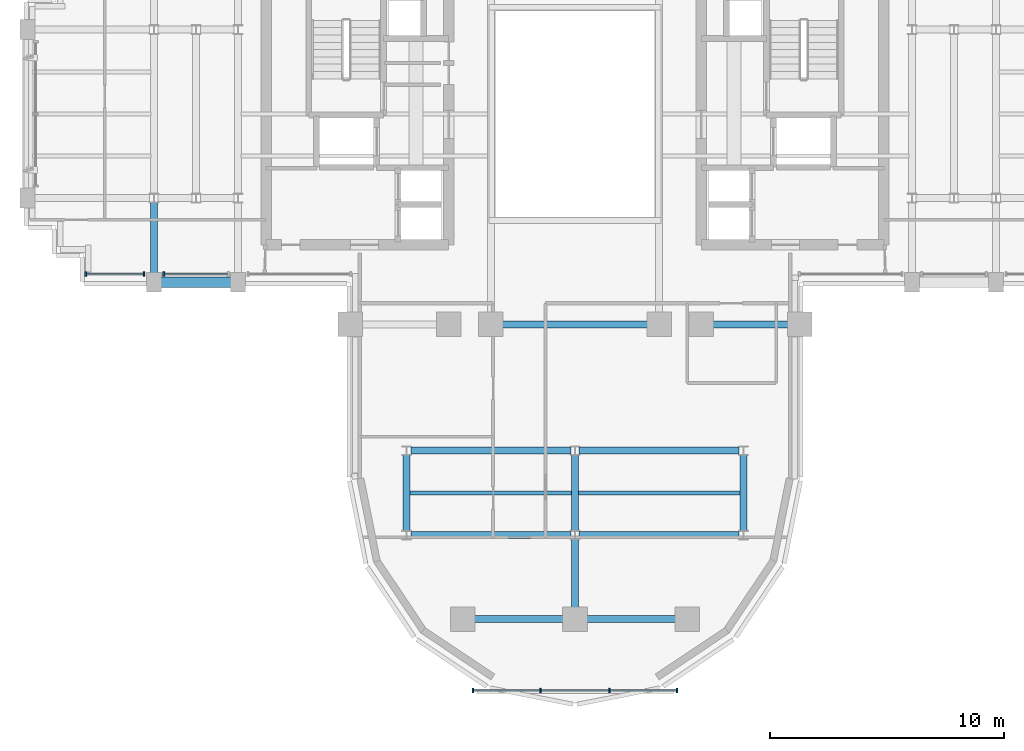
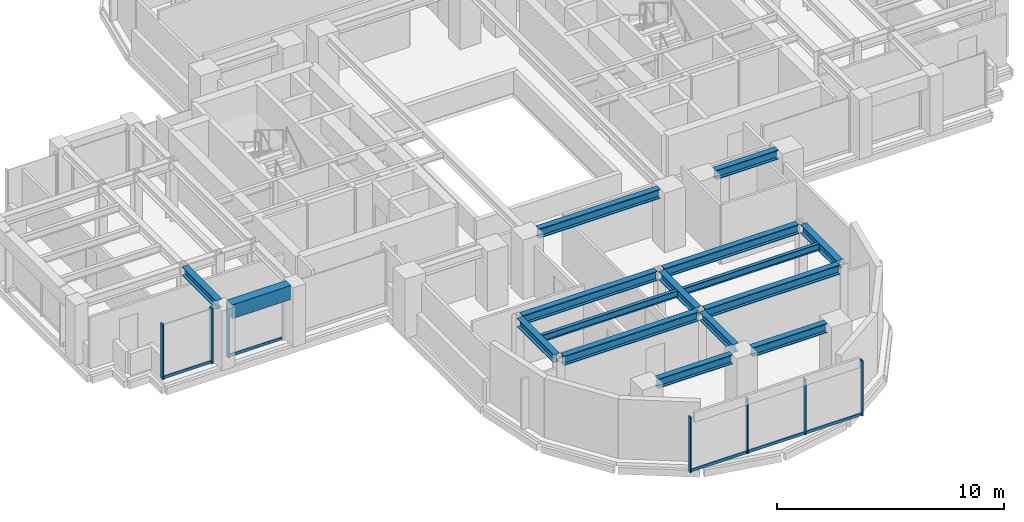
# One storey, part 3 of 14: 16 beams, 12 members, 3 elements without a shape of their own.
"""IFC4 building model written with IfcOpenShell, lengths in metres."""

from ifc_helpers import new_model, si_unit, direction, frame, origin, origin_2d, place, context, subcontext, project, spatial, rectangle, i_section, extrude, source, transform, mapped, material, material_profile, profile_set, type_object, element, aggregate, save


model = new_model("IFC4")

# Units and contexts
model_context = context("Model", 3, precision=1e-05, world=origin(), true_north=direction((0.0, 1.0)))
body_context = subcontext(model_context, "Body", "Model", "MODEL_VIEW")
ifc_project = project(units=[si_unit("LENGTHUNIT", "METRE"), si_unit("AREAUNIT", "SQUARE_METRE"), si_unit("VOLUMEUNIT", "CUBIC_METRE"), si_unit("PLANEANGLEUNIT", "RADIAN"), si_unit("MASSUNIT", "GRAM", prefix="KILO")], contexts=[model_context])

# Site, building, storey
site_placement = place(None, origin())
site = spatial("IfcSite", under=ifc_project, at=site_placement, CompositionType="ELEMENT")
building_placement = place(site_placement, origin())
building = spatial("IfcBuilding", under=site, at=building_placement, Name="Keilestroom Media Tower", CompositionType="ELEMENT")
storey_placement = place(building_placement, frame((0.0, 0.0, 114.199951171875)))
storey = spatial("IfcBuildingStorey", under=building, at=storey_placement, Name="L30", CompositionType="ELEMENT", Elevation=114.199951171875)

# Beams
ifc_material_1 = material(Name="Steel S355", Category="steel")
ifc_material_profile_1 = material_profile(ifc_material_1, i_section(OverallWidth=0.169921875, OverallDepth=0.360107421875, WebThickness=0.008056640625, FlangeThickness=0.0126953125, at=origin_2d()), Name="IPE 360")
ifc_profile_set_1 = profile_set([ifc_material_profile_1], Name="Steel S355")
beam_type_1 = type_object("IfcBeamType", Name="Secondary-Floor-Joist-IPE-360", PredefinedType="JOIST", material=ifc_profile_set_1)
shared_shape_1 = source(origin(), body_context, "Body", "SweptSolid", [
    extrude(i_section(OverallWidth=0.169921875, OverallDepth=0.360107421875, WebThickness=0.008056640625, FlangeThickness=0.0126953125, at=origin_2d()), origin(), (0.0, 0.0, 1.0), 6.940185546875),
])
for number, where, z_axis, x_axis, name in (
    (1, (-7.070068359375, -16.199951171875, 3.02001953125), (1.0, 0.0, 0.0), (0.0, 1.0, 0.0), "L30 Beam BJ-5 JST-L30-069"),
    (2, (0.1298828125, -16.199951171875, 3.02001953125), (1.0, 0.0, 0.0), (0.0, 1.0, 0.0), "L30 Beam BJ-5 JST-L30-070"),
):
    element("IfcBeam", number, at=place(storey_placement, frame(where, z_axis=z_axis, x_axis=x_axis)), inside=storey, type_object=beam_type_1, Name=name, PredefinedType="JOIST", context=body_context, shape_type="MappedRepresentation", body=[
        mapped(shared_shape_1, transform((0.0, 0.0, 0.0), x_axis=(1.0, 0.0, 0.0), y_axis=(0.0, 1.0, 0.0), z_axis=(0.0, 0.0, 1.0), scale=1.0)),
    ])
ifc_material_profile_2 = material_profile(ifc_material_1, i_section(OverallWidth=0.300048828125, OverallDepth=0.5, WebThickness=0.012451171875, FlangeThickness=0.028076171875, at=origin_2d()), Name="HEB 500")
ifc_profile_set_2 = profile_set([ifc_material_profile_2], Name="Steel S355")
beam_type_2 = type_object("IfcBeamType", Name="Primary-Structural-Girder-HEB-500", PredefinedType="BEAM", material=ifc_profile_set_2)
shared_shape_2 = source(origin(), body_context, "Body", "SweptSolid", [
    extrude(i_section(OverallWidth=0.300048828125, OverallDepth=0.5, WebThickness=0.012451171875, FlangeThickness=0.028076171875, at=origin_2d()), origin(), (0.0, 0.0, 1.0), 3.7900390625),
])
for number, where, z_axis, x_axis, name in (
    (3, (-4.294921875, -21.60009765625, 2.949951171875), (1.0, 0.0, 0.0), (0.0, 1.0, 0.0), "L30 Beam BG-6 BM-L30-EW-001"),
    (4, (0.5048828125, -21.60009765625, 2.949951171875), (1.0, 0.0, 0.0), (0.0, 1.0, 0.0), "L30 Beam BG-6 BM-L30-EW-002"),
):
    element("IfcBeam", number, at=place(storey_placement, frame(where, z_axis=z_axis, x_axis=x_axis)), inside=storey, type_object=beam_type_2, Name=name, PredefinedType="BEAM", context=body_context, shape_type="MappedRepresentation", body=[
        mapped(shared_shape_2, transform((0.0, 0.0, 0.0), x_axis=(1.0, 0.0, 0.0), y_axis=(0.0, 1.0, 0.0), z_axis=(0.0, 0.0, 1.0), scale=1.0)),
    ])
shared_shape_3 = source(origin(), body_context, "Body", "SweptSolid", [
    extrude(i_section(OverallWidth=0.300048828125, OverallDepth=0.5, WebThickness=0.012451171875, FlangeThickness=0.028076171875, at=origin_2d()), origin(), (0.0, 0.0, 1.0), 6.839111328125),
])
for number, where, z_axis, x_axis, name in (
    (5, (-7.01953125, -18.0, 2.949951171875), (1.0, 0.0, 0.0), (0.0, 1.0, 0.0), "L30 Beam BG-6 BM-L30-EW-003"),
    (6, (0.180419921875, -18.0, 2.949951171875), (1.0, 0.0, 0.0), (0.0, 1.0, 0.0), "L30 Beam BG-6 BM-L30-EW-004"),
    (7, (-7.01953125, -14.39990234375, 2.949951171875), (1.0, 0.0, 0.0), (0.0, 1.0, 0.0), "L30 Beam BG-6 BM-L30-EW-005"),
    (8, (0.180419921875, -14.39990234375, 2.949951171875), (1.0, 0.0, 0.0), (0.0, 1.0, 0.0), "L30 Beam BG-6 BM-L30-EW-006"),
):
    element("IfcBeam", number, at=place(storey_placement, frame(where, z_axis=z_axis, x_axis=x_axis)), inside=storey, type_object=beam_type_2, Name=name, PredefinedType="BEAM", context=body_context, shape_type="MappedRepresentation", body=[
        mapped(shared_shape_3, transform((0.0, 0.0, 0.0), x_axis=(1.0, 0.0, 0.0), y_axis=(0.0, 1.0, 0.0), z_axis=(0.0, 0.0, 1.0), scale=1.0)),
    ])
shared_shape_4 = source(origin(), body_context, "Body", "SweptSolid", [
    extrude(i_section(OverallWidth=0.300048828125, OverallDepth=0.5, WebThickness=0.012451171875, FlangeThickness=0.028076171875, at=origin_2d()), origin(), (0.0, 0.0, 1.0), 3.18994140625),
])
beam_1_placement = place(storey_placement, frame((5.905029296875, -9.0, 2.949951171875), z_axis=(1.0, 0.0, 0.0), x_axis=(0.0, 1.0, 0.0)))
element("IfcBeam", 9, at=beam_1_placement, inside=storey, type_object=beam_type_2, Name="L30 Beam BG-6 BM-L30-EW-011", PredefinedType="BEAM", context=body_context, shape_type="MappedRepresentation", body=[
    mapped(shared_shape_4, transform((0.0, 0.0, 0.0), x_axis=(1.0, 0.0, 0.0), y_axis=(0.0, 1.0, 0.0), z_axis=(0.0, 0.0, 1.0), scale=1.0)),
])
shared_shape_5 = source(origin(), body_context, "Body", "SweptSolid", [
    extrude(i_section(OverallWidth=0.300048828125, OverallDepth=0.5, WebThickness=0.012451171875, FlangeThickness=0.028076171875, at=origin_2d()), origin(), (0.0, 0.0, 1.0), 6.18994140625),
])
beam_2_placement = place(storey_placement, frame((-3.094970703125, -9.0, 2.949951171875), z_axis=(1.0, 0.0, 0.0), x_axis=(0.0, 1.0, 0.0)))
element("IfcBeam", 10, at=beam_2_placement, inside=storey, type_object=beam_type_2, Name="L30 Beam BG-6 BM-L30-EW-009", PredefinedType="BEAM", context=body_context, shape_type="MappedRepresentation", body=[
    mapped(shared_shape_5, transform((0.0, 0.0, 0.0), x_axis=(1.0, 0.0, 0.0), y_axis=(0.0, 1.0, 0.0), z_axis=(0.0, 0.0, 1.0), scale=1.0)),
])
ifc_material_2 = material(Name="Precast concrete C40/50", Category="concrete")
ifc_material_profile_3 = material_profile(ifc_material_2, rectangle(XDim=0.449951171875, YDim=0.75, at=origin_2d()), Name="PC 450x750")
ifc_profile_set_3 = profile_set([ifc_material_profile_3], Name="Precast concrete C40/50")
beam_type_3 = type_object("IfcBeamType", Name="Perimeter-Spandrel-Beam-PC-450x750", PredefinedType="SPANDREL", material=ifc_profile_set_3)
shared_shape_6 = source(origin(), body_context, "Body", "SweptSolid", [
    extrude(rectangle(XDim=0.449951171875, YDim=0.75, at=origin_2d()), origin(), (0.0, 0.0, 1.0), 2.989990234375),
])
beam_3_placement = place(storey_placement, frame((-17.695068359375, -7.199951171875, 2.824951171875), z_axis=(1.0, 0.0, 0.0), x_axis=(0.0, 1.0, 0.0)))
element("IfcBeam", 11, at=beam_3_placement, inside=storey, type_object=beam_type_3, Name="L30 Beam SPB-1 BM-L30-EW-012", PredefinedType="SPANDREL", context=body_context, shape_type="MappedRepresentation", body=[
    mapped(shared_shape_6, transform((0.0, 0.0, 0.0), x_axis=(1.0, 0.0, 0.0), y_axis=(0.0, 1.0, 0.0), z_axis=(0.0, 0.0, 1.0), scale=1.0)),
])
ifc_material_profile_4 = material_profile(ifc_material_1, i_section(OverallWidth=0.300048828125, OverallDepth=0.449951171875, WebThickness=0.011962890625, FlangeThickness=0.02587890625, at=origin_2d()), Name="HEB 450")
ifc_profile_set_4 = profile_set([ifc_material_profile_4], Name="Steel S355")
beam_type_4 = type_object("IfcBeamType", Name="Primary-Structural-Girder-HEB-450", PredefinedType="BEAM", material=ifc_profile_set_4)
shared_shape_7 = source(origin(), body_context, "Body", "SweptSolid", [
    extrude(i_section(OverallWidth=0.300048828125, OverallDepth=0.449951171875, WebThickness=0.011962890625, FlangeThickness=0.02587890625, at=origin_2d()), origin(), (0.0, 0.0, 1.0), 3.015380859375),
])
beam_4_placement = place(storey_placement, frame((-18.0, -6.794921875, 2.97509765625), z_axis=(0.0, 1.0, 0.0), x_axis=(-1.0, 0.0, 0.0)))
element("IfcBeam", 12, at=beam_4_placement, inside=storey, type_object=beam_type_4, Name="L30 Beam BG-7 BM-L30-NS-040", PredefinedType="BEAM", context=body_context, shape_type="MappedRepresentation", body=[
    mapped(shared_shape_7, transform((0.0, 0.0, 0.0), x_axis=(1.0, 0.0, 0.0), y_axis=(0.0, 1.0, 0.0), z_axis=(0.0, 0.0, 1.0), scale=1.0)),
])
shared_shape_8 = source(origin(), body_context, "Body", "SweptSolid", [
    extrude(i_section(OverallWidth=0.300048828125, OverallDepth=0.449951171875, WebThickness=0.011962890625, FlangeThickness=0.02587890625, at=origin_2d()), origin(), (0.0, 0.0, 1.0), 3.240966796875),
])
for number, where, z_axis, x_axis, name in (
    (13, (-7.199951171875, -17.820556640625, 2.97509765625), (0.0, 1.0, 0.0), (-1.0, 0.0, 0.0), "L30 Beam BG-7 BM-L30-NS-048"),
    (14, (0.0, -17.820556640625, 2.97509765625), (0.0, 1.0, 0.0), (-1.0, 0.0, 0.0), "L30 Beam BG-7 BM-L30-NS-053"),
    (15, (7.199951171875, -17.820556640625, 2.97509765625), (0.0, 1.0, 0.0), (-1.0, 0.0, 0.0), "L30 Beam BG-7 BM-L30-NS-058"),
):
    element("IfcBeam", number, at=place(storey_placement, frame(where, z_axis=z_axis, x_axis=x_axis)), inside=storey, type_object=beam_type_4, Name=name, PredefinedType="BEAM", context=body_context, shape_type="MappedRepresentation", body=[
        mapped(shared_shape_8, transform((0.0, 0.0, 0.0), x_axis=(1.0, 0.0, 0.0), y_axis=(0.0, 1.0, 0.0), z_axis=(0.0, 0.0, 1.0), scale=1.0)),
    ])
shared_shape_9 = source(origin(), body_context, "Body", "SweptSolid", [
    extrude(i_section(OverallWidth=0.300048828125, OverallDepth=0.449951171875, WebThickness=0.011962890625, FlangeThickness=0.02587890625, at=origin_2d()), origin(), (0.0, 0.0, 1.0), 2.91552734375),
])
beam_5_placement = place(storey_placement, frame((0.0, -21.094970703125, 2.97509765625), z_axis=(0.0, 1.0, 0.0), x_axis=(-1.0, 0.0, 0.0)))
element("IfcBeam", 16, at=beam_5_placement, inside=storey, type_object=beam_type_4, Name="L30 Beam BG-7 BM-L30-NS-052", PredefinedType="BEAM", context=body_context, shape_type="MappedRepresentation", body=[
    mapped(shared_shape_9, transform((0.0, 0.0, 0.0), x_axis=(1.0, 0.0, 0.0), y_axis=(0.0, 1.0, 0.0), z_axis=(0.0, 0.0, 1.0), scale=1.0)),
])

# Curtain wall, members
ifc_material_3 = material(Name="Anodised Aluminium Alloy", Category="aluminium")
curtain_wall_type_1 = type_object("IfcCurtainWallType", Name="Unitised-Curtain-Wall-CW-6", PredefinedType="NOTDEFINED", material=ifc_material_3)
curtain_wall_1_placement = place(storey_placement, origin())
curtain_wall_1 = element("IfcCurtainWall", 17, at=curtain_wall_1_placement, inside=storey, type_object=curtain_wall_type_1, Name="L30 Curtain Wall CW-6 CW-L30-LS-1", PredefinedType="NOTDEFINED")
ifc_material_profile_5 = material_profile(ifc_material_3, rectangle(XDim=0.06494140625, YDim=0.179931640625, at=origin_2d()), Name="ALU MULLION 65x180")
ifc_profile_set_5 = profile_set([ifc_material_profile_5], Name="Anodised Aluminium Alloy")
member_type_1 = type_object("IfcMemberType", Name="Curtain-Wall-Mullion-CW-6", PredefinedType="MULLION", material=ifc_profile_set_5)
shared_shape_10 = source(origin(), body_context, "Body", "SweptSolid", [
    extrude(rectangle(XDim=0.06494140625, YDim=0.179931640625, at=origin_2d()), origin(), (0.0, 0.0, 1.0), 2.97998046875),
])
member_1_placement = place(storey_placement, frame((-4.367431640625, -24.64990234375, 0.0), z_axis=(0.0, 0.0, 1.0), x_axis=(1.0, 0.0, 0.0)))
member_1 = element("IfcMember", 18, at=member_1_placement, type_object=member_type_1, Name="CW-6 Mullion 00", PredefinedType="MULLION", context=body_context, shape_type="MappedRepresentation", body=[
    mapped(shared_shape_10, transform((0.0, 0.0, 0.0), x_axis=(1.0, 0.0, 0.0), y_axis=(0.0, 1.0, 0.0), z_axis=(0.0, 0.0, 1.0), scale=1.0)),
])
member_2_placement = place(storey_placement, frame((-1.466796875, -24.64990234375, 0.0), z_axis=(0.0, 0.0, 1.0), x_axis=(1.0, 0.0, 0.0)))
member_2 = element("IfcMember", 19, at=member_2_placement, type_object=member_type_1, Name="CW-6 Mullion 01", PredefinedType="MULLION", context=body_context, shape_type="MappedRepresentation", body=[
    mapped(shared_shape_10, transform((0.0, 0.0, 0.0), x_axis=(1.0, 0.0, 0.0), y_axis=(0.0, 1.0, 0.0), z_axis=(0.0, 0.0, 1.0), scale=1.0)),
])
member_3_placement = place(storey_placement, frame((1.466796875, -24.64990234375, 0.0), z_axis=(0.0, 0.0, 1.0), x_axis=(1.0, 0.0, 0.0)))
member_3 = element("IfcMember", 20, at=member_3_placement, type_object=member_type_1, Name="CW-6 Mullion 02", PredefinedType="MULLION", context=body_context, shape_type="MappedRepresentation", body=[
    mapped(shared_shape_10, transform((0.0, 0.0, 0.0), x_axis=(1.0, 0.0, 0.0), y_axis=(0.0, 1.0, 0.0), z_axis=(0.0, 0.0, 1.0), scale=1.0)),
])
member_4_placement = place(storey_placement, frame((4.367431640625, -24.64990234375, 0.0), z_axis=(0.0, 0.0, 1.0), x_axis=(1.0, 0.0, 0.0)))
member_4 = element("IfcMember", 21, at=member_4_placement, type_object=member_type_1, Name="CW-6 Mullion 03", PredefinedType="MULLION", context=body_context, shape_type="MappedRepresentation", body=[
    mapped(shared_shape_10, transform((0.0, 0.0, 0.0), x_axis=(1.0, 0.0, 0.0), y_axis=(0.0, 1.0, 0.0), z_axis=(0.0, 0.0, 1.0), scale=1.0)),
])
ifc_material_profile_6 = material_profile(ifc_material_3, rectangle(XDim=0.06494140625, YDim=0.14990234375, at=origin_2d()), Name="ALU TRANSOM 65x150")
ifc_profile_set_6 = profile_set([ifc_material_profile_6], Name="Anodised Aluminium Alloy")
member_type_2 = type_object("IfcMemberType", Name="Curtain-Wall-Transom-CW-6", PredefinedType="USERDEFINED", material=ifc_profile_set_6)
shared_shape_11 = source(origin(), body_context, "Body", "SweptSolid", [
    extrude(rectangle(XDim=0.06494140625, YDim=0.14990234375, at=origin_2d()), origin(), (0.0, 0.0, 1.0), 2.839599609375),
])
member_5_placement = place(storey_placement, frame((-4.3369140625, -24.64990234375, 0.074951171875), z_axis=(1.0, 0.0, 0.0), x_axis=(0.0, 1.0, 0.0)))
member_5 = element("IfcMember", 22, at=member_5_placement, type_object=member_type_2, Name="CW-6 Transom 00.1", ObjectType="TRANSOM", PredefinedType="USERDEFINED", context=body_context, shape_type="MappedRepresentation", body=[
    mapped(shared_shape_11, transform((0.0, 0.0, 0.0), x_axis=(1.0, 0.0, 0.0), y_axis=(0.0, 1.0, 0.0), z_axis=(0.0, 0.0, 1.0), scale=1.0)),
])
member_6_placement = place(storey_placement, frame((1.497314453125, -24.64990234375, 0.074951171875), z_axis=(1.0, 0.0, 0.0), x_axis=(0.0, 1.0, 0.0)))
member_6 = element("IfcMember", 23, at=member_6_placement, type_object=member_type_2, Name="CW-6 Transom 02.1", ObjectType="TRANSOM", PredefinedType="USERDEFINED", context=body_context, shape_type="MappedRepresentation", body=[
    mapped(shared_shape_11, transform((0.0, 0.0, 0.0), x_axis=(1.0, 0.0, 0.0), y_axis=(0.0, 1.0, 0.0), z_axis=(0.0, 0.0, 1.0), scale=1.0)),
])
shared_shape_12 = source(origin(), body_context, "Body", "SweptSolid", [
    extrude(rectangle(XDim=0.06494140625, YDim=0.14990234375, at=origin_2d()), origin(), (0.0, 0.0, 1.0), 2.87255859375),
])
member_7_placement = place(storey_placement, frame((-1.436279296875, -24.64990234375, 0.074951171875), z_axis=(1.0, 0.0, 0.0), x_axis=(0.0, 1.0, 0.0)))
member_7 = element("IfcMember", 24, at=member_7_placement, type_object=member_type_2, Name="CW-6 Transom 01.1", ObjectType="TRANSOM", PredefinedType="USERDEFINED", context=body_context, shape_type="MappedRepresentation", body=[
    mapped(shared_shape_12, transform((0.0, 0.0, 0.0), x_axis=(1.0, 0.0, 0.0), y_axis=(0.0, 1.0, 0.0), z_axis=(0.0, 0.0, 1.0), scale=1.0)),
])
aggregate(curtain_wall_1, [member_1, member_2, member_3, member_4, member_5, member_7, member_6])

curtain_wall_type_2 = type_object("IfcCurtainWallType", Name="Unitised-Curtain-Wall-CW-2", PredefinedType="NOTDEFINED", material=ifc_material_3)
curtain_wall_2_placement = place(storey_placement, origin())
curtain_wall_2 = element("IfcCurtainWall", 25, at=curtain_wall_2_placement, inside=storey, type_object=curtain_wall_type_2, Name="L30 Curtain Wall CW-2 CW-L30-SW-1", PredefinedType="NOTDEFINED")
ifc_material_profile_7 = material_profile(ifc_material_3, rectangle(XDim=0.070068359375, YDim=0.199951171875, at=origin_2d()), Name="ALU MULLION 70x200")
ifc_profile_set_7 = profile_set([ifc_material_profile_7], Name="Anodised Aluminium Alloy")
member_type_3 = type_object("IfcMemberType", Name="Curtain-Wall-Mullion-CW-2", PredefinedType="MULLION", material=ifc_profile_set_7)
shared_shape_13 = source(origin(), body_context, "Body", "SweptSolid", [
    extrude(rectangle(XDim=0.070068359375, YDim=0.199951171875, at=origin_2d()), origin(), (0.0, 0.0, 1.0), 2.97998046875),
])
member_8_placement = place(storey_placement, frame((-20.9150390625, -6.85009765625, 0.0), z_axis=(0.0, 0.0, 1.0), x_axis=(1.0, 0.0, 0.0)))
member_8 = element("IfcMember", 26, at=member_8_placement, type_object=member_type_3, Name="CW-2 Mullion 00", PredefinedType="MULLION", context=body_context, shape_type="MappedRepresentation", body=[
    mapped(shared_shape_13, transform((0.0, 0.0, 0.0), x_axis=(1.0, 0.0, 0.0), y_axis=(0.0, 1.0, 0.0), z_axis=(0.0, 0.0, 1.0), scale=1.0)),
])
member_9_placement = place(storey_placement, frame((-18.419921875, -6.85009765625, 0.0), z_axis=(0.0, 0.0, 1.0), x_axis=(1.0, 0.0, 0.0)))
member_9 = element("IfcMember", 27, at=member_9_placement, type_object=member_type_3, Name="CW-2 Mullion 01", PredefinedType="MULLION", context=body_context, shape_type="MappedRepresentation", body=[
    mapped(shared_shape_13, transform((0.0, 0.0, 0.0), x_axis=(1.0, 0.0, 0.0), y_axis=(0.0, 1.0, 0.0), z_axis=(0.0, 0.0, 1.0), scale=1.0)),
])

# Curtain wall, member
curtain_wall_3_placement = place(storey_placement, origin())
curtain_wall_3 = element("IfcCurtainWall", 28, at=curtain_wall_3_placement, inside=storey, type_object=curtain_wall_type_2, Name="L30 Curtain Wall CW-2 CW-L30-SW-2", PredefinedType="NOTDEFINED")
member_10_placement = place(storey_placement, frame((-17.580078125, -6.85009765625, 0.0), z_axis=(0.0, 0.0, 1.0), x_axis=(1.0, 0.0, 0.0)))
member_10 = element("IfcMember", 29, at=member_10_placement, type_object=member_type_3, Name="CW-2 Mullion 00", PredefinedType="MULLION", context=body_context, shape_type="MappedRepresentation", body=[
    mapped(shared_shape_13, transform((0.0, 0.0, 0.0), x_axis=(1.0, 0.0, 0.0), y_axis=(0.0, 1.0, 0.0), z_axis=(0.0, 0.0, 1.0), scale=1.0)),
])

# Member
ifc_material_profile_8 = material_profile(ifc_material_3, rectangle(XDim=0.06494140625, YDim=0.14990234375, at=origin_2d()), Name="ALU TRANSOM 65x150")
ifc_profile_set_8 = profile_set([ifc_material_profile_8], Name="Anodised Aluminium Alloy")
member_type_4 = type_object("IfcMemberType", Name="Curtain-Wall-Transom-CW-2", PredefinedType="USERDEFINED", material=ifc_profile_set_8)
shared_shape_14 = source(origin(), body_context, "Body", "SweptSolid", [
    extrude(rectangle(XDim=0.06494140625, YDim=0.14990234375, at=origin_2d()), origin(), (0.0, 0.0, 1.0), 2.42919921875),
])
member_11_placement = place(storey_placement, frame((-20.882080078125, -6.85009765625, 0.074951171875), z_axis=(1.0, 0.0, 0.0), x_axis=(0.0, 1.0, 0.0)))
member_11 = element("IfcMember", 30, at=member_11_placement, type_object=member_type_4, Name="CW-2 Transom 00.1", ObjectType="TRANSOM", PredefinedType="USERDEFINED", context=body_context, shape_type="MappedRepresentation", body=[
    mapped(shared_shape_14, transform((0.0, 0.0, 0.0), x_axis=(1.0, 0.0, 0.0), y_axis=(0.0, 1.0, 0.0), z_axis=(0.0, 0.0, 1.0), scale=1.0)),
])

aggregate(curtain_wall_2, [member_8, member_9, member_11])

shared_shape_15 = source(origin(), body_context, "Body", "SweptSolid", [
    extrude(rectangle(XDim=0.06494140625, YDim=0.14990234375, at=origin_2d()), origin(), (0.0, 0.0, 1.0), 2.694091796875),
])
member_12_placement = place(storey_placement, frame((-17.547119140625, -6.85009765625, 0.074951171875), z_axis=(1.0, 0.0, 0.0), x_axis=(0.0, 1.0, 0.0)))
member_12 = element("IfcMember", 31, at=member_12_placement, type_object=member_type_4, Name="CW-2 Transom 00.1", ObjectType="TRANSOM", PredefinedType="USERDEFINED", context=body_context, shape_type="MappedRepresentation", body=[
    mapped(shared_shape_15, transform((0.0, 0.0, 0.0), x_axis=(1.0, 0.0, 0.0), y_axis=(0.0, 1.0, 0.0), z_axis=(0.0, 0.0, 1.0), scale=1.0)),
])

aggregate(curtain_wall_3, [member_10, member_12])

save(model, "model.ifc")
